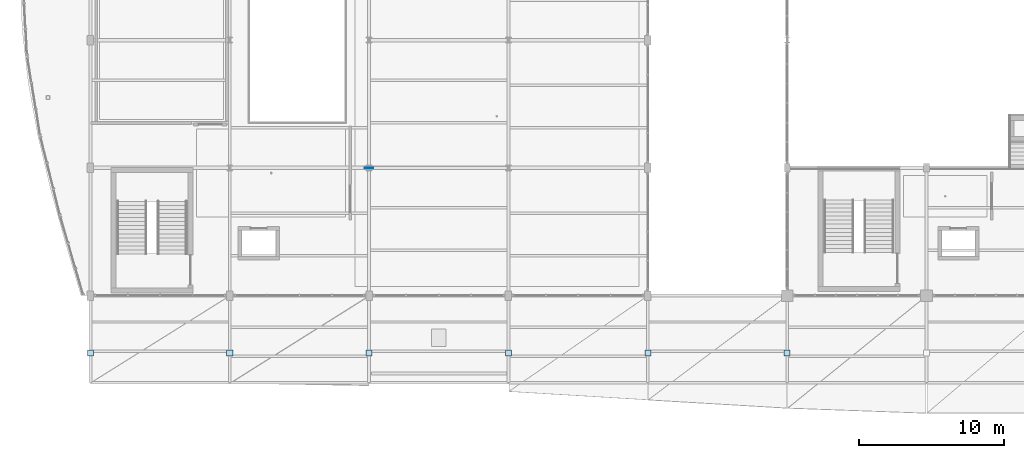
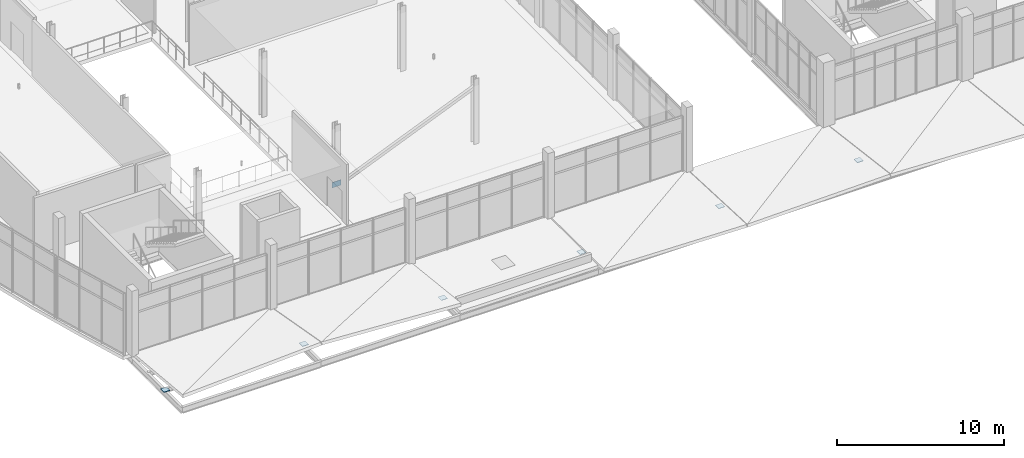
# One storey, part 127 of 157: 7 plates.
"""IFC4 building model written with IfcOpenShell, lengths in metres."""

import ifcopenshell
import ifcopenshell.guid

model = None  # the IFC model being written
_history = None  # IfcOwnerHistory: only IFC2X3 demands one
_inside = {}  # id of a spatial element -> (the spatial element, [elements in it])
_under = {}  # id of a project, library or spatial element -> (it, [spatial elements below it])
_declared = {}  # id of a project -> (the project, [libraries it declares])
_typed = {}  # id of a type object -> (the type object, [elements of that type])
_made_of = {}  # id of a material, layer set ... -> (it, [elements and type objects made of it])


def new_model(schema):
    """Start an empty IFC model of exactly this schema.

    Asked for "IFC4X3", IfcOpenShell would pick the latest addendum, in which some entities
    have other attributes; the version numbers below select the first issue.
    IFC2X3 requires an IfcOwnerHistory on every rooted entity: one is made here for all.
    """
    global model, _history
    if schema == "IFC4X3":
        model = ifcopenshell.file(schema_version=(4, 3, 0, 0))
    else:
        model = ifcopenshell.file(schema=schema)
    _inside.clear()
    _under.clear()
    _declared.clear()
    _typed.clear()
    _made_of.clear()
    _history = None
    if model.schema == "IFC2X3":
        org = make("IfcOrganization", Name="unknown")
        user = make(
            "IfcPersonAndOrganization",
            ThePerson=make("IfcPerson", FamilyName="unknown"),
            TheOrganization=org,
        )
        app = make(
            "IfcApplication",
            ApplicationDeveloper=org,
            Version="unknown",
            ApplicationFullName="unknown",
            ApplicationIdentifier="unknown",
        )
        _history = make(
            "IfcOwnerHistory",
            OwningUser=user,
            OwningApplication=app,
            ChangeAction="ADDED",
            CreationDate=0,
        )
    return model


def make(cls, **values):
    """One entity of the class cls with the attributes given. An attribute that is None is left unset."""
    return model.create_entity(
        cls, **{name: value for name, value in values.items() if value is not None}
    )


def rooted(cls, **values):
    """An entity with a GlobalId (a new one), such as an element, a storey or a relation."""
    return make(cls, GlobalId=ifcopenshell.guid.new(), OwnerHistory=_history, **values)


def si_unit(unit_type, name, prefix=None):
    """IfcSIUnit, for example si_unit("LENGTHUNIT", "METRE", prefix="MILLI")."""
    return make("IfcSIUnit", UnitType=unit_type, Prefix=prefix, Name=name)


def assignment(units):
    """IfcUnitAssignment: the units of a project."""
    return None if units is None else make("IfcUnitAssignment", Units=units)


def point(xyz):
    """IfcCartesianPoint."""
    return None if xyz is None else make("IfcCartesianPoint", Coordinates=xyz)


def direction(xyz):
    """IfcDirection."""
    return None if xyz is None else make("IfcDirection", DirectionRatios=xyz)


def frame(location, z_axis=None, x_axis=None):
    """IfcAxis2Placement3D, a coordinate frame: its origin and axes. An axis left out is left unset."""
    return make(
        "IfcAxis2Placement3D",
        Location=point(location),
        Axis=direction(z_axis),
        RefDirection=direction(x_axis),
    )


def frame_2d(location, x_axis=None):
    """IfcAxis2Placement2D, a coordinate frame in the plane: its origin and x axis."""
    return make(
        "IfcAxis2Placement2D", Location=point(location), RefDirection=direction(x_axis)
    )


def origin():
    """The frame at (0, 0, 0) with its axes left unset."""
    return frame((0.0, 0.0, 0.0))


def origin_2d():
    """The frame at (0, 0) in the plane with its x axis left unset."""
    return frame_2d((0.0, 0.0))


def place(relative_to, where):
    """IfcLocalPlacement: puts the frame where relative to a parent placement (None: the world)."""
    return make(
        "IfcLocalPlacement", PlacementRelTo=relative_to, RelativePlacement=where
    )


def context(
    kind, dimensions, precision=None, world=None, true_north=None, identifier=None
):
    """IfcGeometricRepresentationContext, for example the 3D "Model" context."""
    return make(
        "IfcGeometricRepresentationContext",
        ContextIdentifier=identifier,
        ContextType=kind,
        CoordinateSpaceDimension=dimensions,
        Precision=precision,
        WorldCoordinateSystem=world,
        TrueNorth=true_north,
    )


def subcontext(parent, identifier, kind, view, scale=None):
    """IfcGeometricRepresentationSubContext, for example "Body" below "Model"."""
    return make(
        "IfcGeometricRepresentationSubContext",
        ContextIdentifier=identifier,
        ContextType=kind,
        ParentContext=parent,
        TargetScale=scale,
        TargetView=view,
    )


def project(units=None, contexts=None):
    """IfcProject with its units and contexts."""
    return rooted(
        "IfcProject",
        Name="project",
        RepresentationContexts=contexts,
        UnitsInContext=assignment(units),
    )


def spatial(cls, under=None, at=None, **own):
    """A site, building, storey or space (cls), placed at a placement, below another one or the project."""
    s = rooted(cls, ObjectPlacement=at, **own)
    if under is not None:
        _under.setdefault(under.id(), (under, []))[1].append(s)
    return s


def profile(cls, at=None, kind="AREA", **sizes):
    """A parametric profile (cls). Its sizes go by their IFC names, for example OverallWidth=200.0."""
    return make(cls, ProfileType=kind, Position=at, **sizes)


def rectangle(**sizes):
    """IfcRectangleProfileDef."""
    return profile("IfcRectangleProfileDef", **sizes)


def extrude(swept, where, along, depth):
    """IfcExtrudedAreaSolid: the profile swept, set in the frame where, extruded along a direction by depth."""
    return make(
        "IfcExtrudedAreaSolid",
        SweptArea=swept,
        Position=where,
        ExtrudedDirection=direction(along),
        Depth=depth,
    )


def shape(context_of_items, identifier, shape_type, items):
    """IfcShapeRepresentation: the items that make up one representation, for example the "Body"."""
    return make(
        "IfcShapeRepresentation",
        ContextOfItems=context_of_items,
        RepresentationIdentifier=identifier,
        RepresentationType=shape_type,
        Items=items,
    )


def material(Name=None, Category=None):
    """IfcMaterial."""
    return make("IfcMaterial", Name=Name, Category=Category)


def layer(
    of_material, thickness, ventilated=None, Name=None, Category=None, Priority=None
):
    """IfcMaterialLayer: one layer of a wall or slab, of a material (None: an air gap)."""
    return make(
        "IfcMaterialLayer",
        Material=of_material,
        LayerThickness=thickness,
        IsVentilated=ventilated,
        Name=Name,
        Category=Category,
        Priority=Priority,
    )


def layer_set(layers, Name=None):
    """IfcMaterialLayerSet."""
    return make("IfcMaterialLayerSet", MaterialLayers=layers, LayerSetName=Name)


def made_of(thing, what):
    """Note that an element or type object is made of a material, layer set ...; save() writes the relation."""
    if what is not None:
        _made_of.setdefault(what.id(), (what, []))[1].append(thing)
    return thing


def type_object(cls, material=None, **own):
    """A type object (cls), such as IfcWallType, which elements share."""
    return made_of(rooted(cls, **own), material)


def element(
    cls,
    number,
    at=None,
    inside=None,
    cuts=None,
    type_object=None,
    material=None,
    context=None,
    identifier="Body",
    shape_type=None,
    held_by="IfcProductDefinitionShape",
    body=None,
    shapes=None,
    **own,
):
    """One element of the class cls, such as IfcWall. Its Tag is "e" and its number.

    at: its placement. inside: the storey or other place that contains it. cuts: it is an
    opening in that element (IfcRelVoidsElement). A single representation is given by context,
    identifier, shape_type and body (its items); several are given by shapes. held_by: the class
    of the entity that holds the representations. save() writes the other relations.
    """
    e = rooted(cls, Tag="e%d" % number, ObjectPlacement=at, **own)
    if body is not None:
        shapes = [shape(context, identifier, shape_type, body)]
    if shapes is not None:
        e.Representation = make(held_by, Representations=shapes)
    if inside is not None:
        _inside.setdefault(inside.id(), (inside, []))[1].append(e)
    if cuts is not None:
        rooted(
            "IfcRelVoidsElement", RelatingBuildingElement=cuts, RelatedOpeningElement=e
        )
    if type_object is not None:
        _typed.setdefault(type_object.id(), (type_object, []))[1].append(e)
    return made_of(e, material)


def aggregate(whole, parts):
    """IfcRelAggregates: a whole, such as a stair, and the parts it consists of."""
    return rooted("IfcRelAggregates", RelatingObject=whole, RelatedObjects=parts)


def save(model, path):
    """Write the relations noted so far, then the file.

    IfcRelAggregates (storeys below a building ...), IfcRelContainedInSpatialStructure (elements
    in a storey), IfcRelDefinesByType, IfcRelAssociatesMaterial and IfcRelDeclares: one each for
    every whole, place, type object, material and project.
    """
    for whole, parts in _under.values():
        aggregate(whole, parts)
    for where, things in _inside.values():
        rooted(
            "IfcRelContainedInSpatialStructure",
            RelatedElements=things,
            RelatingStructure=where,
        )
    for kind, things in _typed.values():
        rooted("IfcRelDefinesByType", RelatedObjects=things, RelatingType=kind)
    for what, things in _made_of.values():
        rooted("IfcRelAssociatesMaterial", RelatedObjects=things, RelatingMaterial=what)
    for by, libraries in _declared.values():
        rooted("IfcRelDeclares", RelatingContext=by, RelatedDefinitions=libraries)
    model.write(path)


model = new_model("IFC4")

# Units and contexts
model_context = context("Model", 3, precision=1e-05, world=origin(), true_north=direction((0.0, 1.0)))
body_context = subcontext(model_context, "Body", "Model", "MODEL_VIEW")
ifc_project = project(units=[si_unit("LENGTHUNIT", "METRE"), si_unit("AREAUNIT", "SQUARE_METRE"), si_unit("VOLUMEUNIT", "CUBIC_METRE"), si_unit("PLANEANGLEUNIT", "RADIAN"), si_unit("MASSUNIT", "GRAM", prefix="KILO")], contexts=[model_context])

# Site, building, storey
site_placement = place(None, origin())
site = spatial("IfcSite", under=ifc_project, at=site_placement, CompositionType="ELEMENT")
building_placement = place(site_placement, origin())
building = spatial("IfcBuilding", under=site, at=building_placement, Name="Chalmorin Arch Market", CompositionType="ELEMENT")
storey_placement = place(building_placement, frame((0.0, 0.0, 4.800048828125)))
storey = spatial("IfcBuildingStorey", under=building, at=storey_placement, Name="L01", CompositionType="ELEMENT", Elevation=4.800048828125)

# Plates
ifc_material = material(Name="Steel A572 Grade 50", Category="steel")
ifc_layer = layer(ifc_material, 0.02490234375)
ifc_layer_set = layer_set([ifc_layer], Name="Steel A572 Grade 50")
plate_type = type_object("IfcPlateType", Name="NodeGussetPlate-600x400x25", PredefinedType="SHEET", material=ifc_layer_set)
for number, where, z_axis, x_axis, name in (
    (1, (0.0, 2.050048828125, -0.283203125), (0.0, 0.0, 1.0), (1.0, 0.0, 0.0), "GP-01-002"),
    (2, (9.60009765625, 2.050048828125, -0.283203125), (0.0, 0.0, 1.0), (1.0, 0.0, 0.0), "GP-01-004"),
    (3, (19.199951171875, 2.050048828125, -0.283203125), (0.0, 0.0, 1.0), (1.0, 0.0, 0.0), "GP-01-006"),
    (4, (28.800048828125, 2.050048828125, -0.283203125), (0.0, 0.0, 1.0), (1.0, 0.0, 0.0), "GP-01-008"),
    (5, (38.39990234375, 2.050048828125, -0.283203125), (0.0, 0.0, 1.0), (1.0, 0.0, 0.0), "GP-01-010"),
    (6, (48.0, 2.050048828125, -0.283203125), (0.0, 0.0, 1.0), (1.0, 0.0, 0.0), "GP-01-012"),
):
    element("IfcPlate", number, at=place(storey_placement, frame(where, z_axis=z_axis, x_axis=x_axis)), inside=storey, type_object=plate_type, Name=name, PredefinedType="SHEET", context=body_context, shape_type="SweptSolid", body=[
        extrude(rectangle(XDim=0.419921875, YDim=0.419921875, at=origin_2d()), origin(), (0.0, 0.0, 1.0), 0.030029296875),
    ])
plate_placement = place(storey_placement, frame((19.199951171875, 14.800048828125, 0.14990234375), z_axis=(0.0, 0.0, 1.0), x_axis=(1.0, 0.0, 0.0)))
element("IfcPlate", 7, at=plate_placement, inside=storey, type_object=plate_type, Name="GP-01-166", PredefinedType="SHEET", context=body_context, shape_type="SweptSolid", body=[
    extrude(rectangle(XDim=0.60009765625, YDim=0.02490234375, at=origin_2d()), origin(), (0.0, 0.0, 1.0), 0.39990234375),
])

save(model, "model.ifc")
